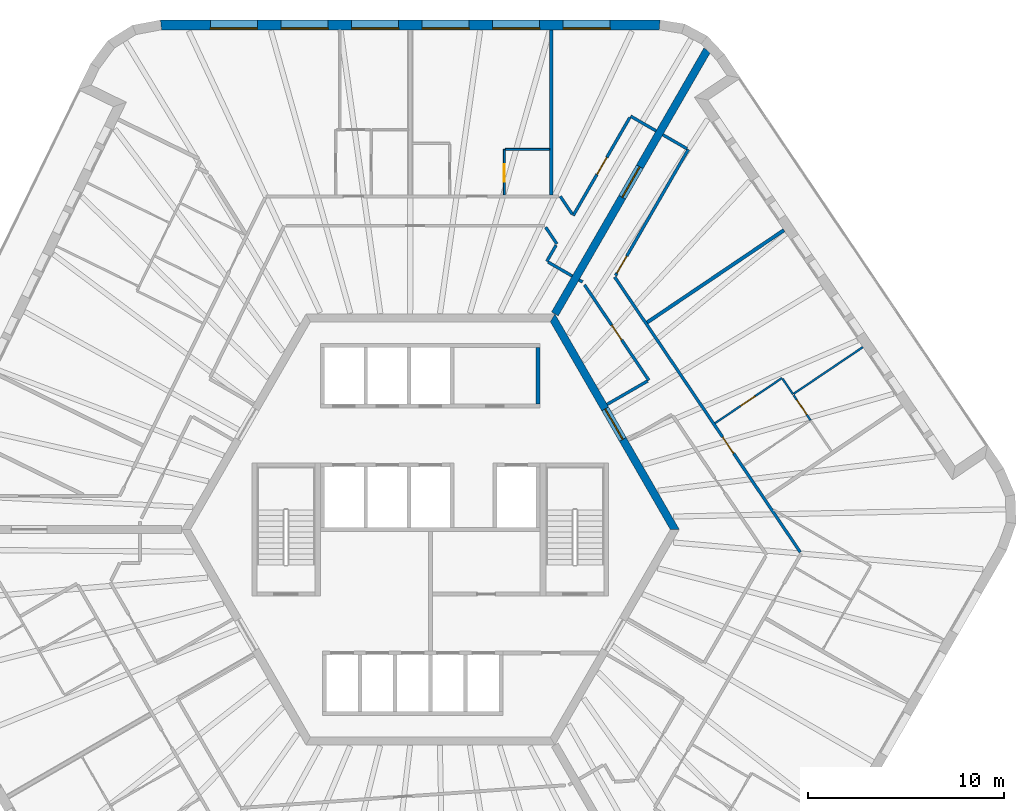
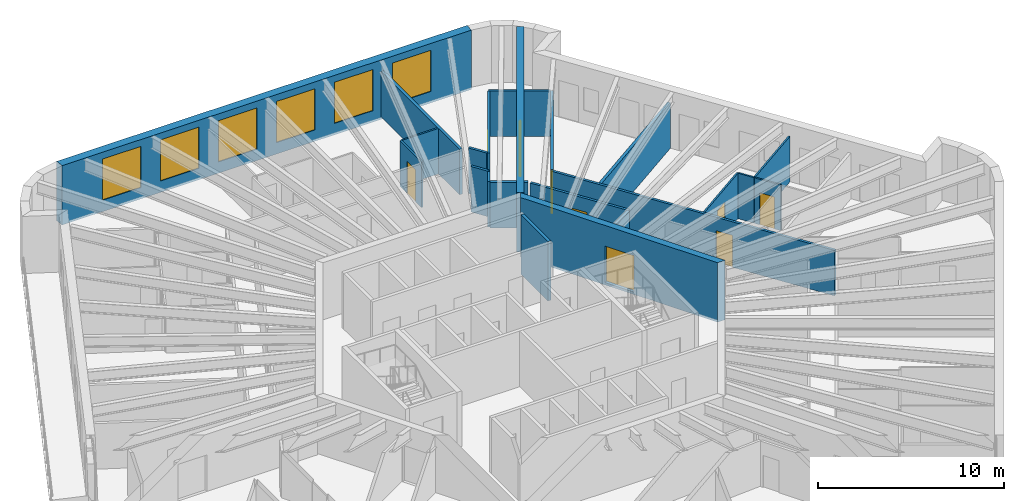
# One storey, part 10 of 12: 24 walls, 9 doors, 6 windows, 15 openings.
"""IFC4 building model written with IfcOpenShell, lengths in metres."""

from ifc_helpers import new_model, si_unit, direction, frame, frame_2d, origin, place, context, subcontext, project, spatial, polyline, rectangle, outline, extrude, material, layer, layer_set, type_object, element, fill, save


model = new_model("IFC4")

# Units and contexts
model_context = context("Model", 3, precision=1e-05, world=origin(), true_north=direction((0.0, 1.0)))
body_context = subcontext(model_context, "Body", "Model", "MODEL_VIEW")
ifc_project = project(units=[si_unit("LENGTHUNIT", "METRE"), si_unit("AREAUNIT", "SQUARE_METRE"), si_unit("VOLUMEUNIT", "CUBIC_METRE"), si_unit("PLANEANGLEUNIT", "RADIAN"), si_unit("MASSUNIT", "GRAM", prefix="KILO")], contexts=[model_context])

# Site, building, storey
site_placement = place(None, origin())
site = spatial("IfcSite", under=ifc_project, at=site_placement, CompositionType="ELEMENT")
building_placement = place(site_placement, origin())
building = spatial("IfcBuilding", under=site, at=building_placement, Name="Tarnside Tower", CompositionType="ELEMENT")
storey_placement = place(building_placement, frame((0.0, 0.0, 295.199951171875)))
storey = spatial("IfcBuildingStorey", under=building, at=storey_placement, Name="L71", CompositionType="ELEMENT", Elevation=295.199951171875)

# Wall, opening, door
ifc_material_1 = material(Name="Concrete C60/75", Category="concrete")
ifc_layer_1 = layer(ifc_material_1, 0.39990234375)
ifc_layer_set_1 = layer_set([ifc_layer_1], Name="Core wall Z3 400 C60/75")
wall_type_1 = type_object("IfcWallType", Name="Core wall Z3 400 C60/75", PredefinedType="SHEAR", material=ifc_layer_set_1)
wall_1_placement = place(storey_placement, frame((12.470703125, 0.0, -0.14990234375), z_axis=(0.0, 0.0, 1.0), x_axis=(-0.499996419489, 0.866027470984, 0.0)))
wall_1 = element("IfcWall", 1, at=wall_1_placement, inside=storey, type_object=wall_type_1, Name="L71 core wall face 6", PredefinedType="SHEAR", context=body_context, shape_type="SweptSolid", body=[
    extrude(outline(polyline([(-0.115478515625, -0.199951171875), (12.586181640625, -0.199951171875), (12.355224609375, 0.199951171875), (0.115478515625, 0.199951171875), (-0.115478515625, -0.199951171875)])), origin(), (0.0, 0.0, 1.0), 3.89990234375),
])
opening_1_placement = place(wall_1_placement, frame((5.306396484375, 0.0, 0.14990234375)))
opening_1 = element("IfcOpeningElement", 2, at=opening_1_placement, cuts=wall_1, Name="Opening CD-LOB", PredefinedType="OPENING", context=body_context, shape_type="SweptSolid", body=[
    extrude(rectangle(XDim=1.800048828125, YDim=2.39990234375, at=frame_2d((0.89990234375, 1.199951171875))), frame((0.0, 0.2099609375, 0.0), z_axis=(0.0, -1.0, 0.0), x_axis=(1.0, 0.0, 0.0)), (0.0, 0.0, 1.0), 0.419921875),
])
ifc_material_2 = material(Name="Steel fire door", Category="steel")
door_type_1 = type_object("IfcDoorType", Name="Lobby double door FD30S 1800x2400", OperationType="NOTDEFINED", PredefinedType="DOOR", material=ifc_material_2)
door_1_placement = place(opening_1_placement, origin())
door_1 = element("IfcDoor", 3, at=door_1_placement, inside=storey, type_object=door_type_1, Name="L71 core door P2", OperationType="DOUBLE_DOOR_SINGLE_SWING", OverallHeight=2.39990234375, OverallWidth=1.800048828125, PredefinedType="DOOR", context=body_context, shape_type="SweptSolid", body=[
    extrude(rectangle(XDim=1.800048828125, YDim=2.39990234375, at=frame_2d((0.89990234375, 1.199951171875))), frame((0.0, 0.02490234375, 0.0), z_axis=(0.0, -1.0, 0.0), x_axis=(1.0, 0.0, 0.0)), (0.0, 0.0, 1.0), 0.050048828125),
])
fill(opening_1, door_1)

wall_2_placement = place(storey_placement, frame((6.350830078125, 11.0, -0.14990234375), z_axis=(0.0, 0.0, 1.0), x_axis=(0.499998894578, 0.866026041999, 0.0)))
wall_2 = element("IfcWall", 4, at=wall_2_placement, inside=storey, type_object=wall_type_1, Name="L71 spine wall 1", PredefinedType="SHEAR", context=body_context, shape_type="SweptSolid", body=[
    extrude(rectangle(XDim=15.54443359375, YDim=0.39990234375, at=frame_2d((7.772216796875, 0.0))), origin(), (0.0, 0.0, 1.0), 3.89990234375),
])
opening_2_placement = place(wall_2_placement, frame((6.872314453125, 0.0, 0.14990234375)))
opening_2 = element("IfcOpeningElement", 5, at=opening_2_placement, cuts=wall_2, Name="Opening CD-SPN", PredefinedType="OPENING", context=body_context, shape_type="SweptSolid", body=[
    extrude(rectangle(XDim=1.800048828125, YDim=2.39990234375, at=frame_2d((0.89990234375, 1.199951171875))), frame((0.0, 0.2099609375, 0.0), z_axis=(0.0, -1.0, 0.0), x_axis=(1.0, 0.0, 0.0)), (0.0, 0.0, 1.0), 0.419921875),
])
door_type_2 = type_object("IfcDoorType", Name="Spine passage double door FD60 1800x2400", OperationType="NOTDEFINED", PredefinedType="DOOR", material=ifc_material_2)
door_2_placement = place(opening_2_placement, origin())
door_2 = element("IfcDoor", 6, at=door_2_placement, inside=storey, type_object=door_type_2, Name="L71 spine passage door 1", OperationType="DOUBLE_DOOR_SINGLE_SWING", OverallHeight=2.39990234375, OverallWidth=1.800048828125, PredefinedType="DOOR", context=body_context, shape_type="SweptSolid", body=[
    extrude(rectangle(XDim=1.800048828125, YDim=2.39990234375, at=frame_2d((0.89990234375, 1.199951171875))), frame((0.0, 0.02490234375, 0.0), z_axis=(0.0, -1.0, 0.0), x_axis=(1.0, 0.0, 0.0)), (0.0, 0.0, 1.0), 0.050048828125),
])
fill(opening_2, door_2)

# Wall
ifc_material_3 = material(Name="Gypsum board partition on steel studs", Category="steel")
ifc_layer_2 = layer(ifc_material_3, 0.14990234375)
ifc_layer_set_2 = layer_set([ifc_layer_2], Name="Corridor wall 150 EI 60")
wall_type_2 = type_object("IfcWallType", Name="Corridor wall 150 EI 60", PredefinedType="PARTITIONING", material=ifc_layer_set_2)
wall_3_placement = place(storey_placement, frame((11.513671875, 20.342529296875, 0.0), z_axis=(0.0, 0.0, 1.0), x_axis=(-0.866031096941, 0.499990139034, 0.0)))
element("IfcWall", 7, at=wall_3_placement, inside=storey, type_object=wall_type_2, Name="Corridor wall 23001", PredefinedType="PARTITIONING", context=body_context, shape_type="SweptSolid", body=[
    extrude(rectangle(XDim=1.5, YDim=0.14990234375, at=frame_2d((0.75, 0.0))), origin(), (0.0, 0.0, 1.0), 2.98779296875),
])

# Wall, opening, door
wall_4_placement = place(storey_placement, frame((10.17724609375, 21.02734375, 0.0), z_axis=(0.0, 0.0, 1.0), x_axis=(-0.500013707032, -0.866017489881, 0.0)))
wall_4 = element("IfcWall", 8, at=wall_4_placement, inside=storey, type_object=wall_type_2, Name="Corridor wall 23002", PredefinedType="PARTITIONING", context=body_context, shape_type="SweptSolid", body=[
    extrude(rectangle(XDim=5.780517578125, YDim=0.14990234375, at=frame_2d((2.89013671875, 0.0))), origin(), (0.0, 0.0, 1.0), 2.98779296875),
])
opening_3_placement = place(wall_4_placement, frame((2.352783203125, 0.0, 0.0)))
opening_3 = element("IfcOpeningElement", 9, at=opening_3_placement, cuts=wall_4, Name="Opening D-E1", PredefinedType="OPENING", context=body_context, shape_type="SweptSolid", body=[
    extrude(rectangle(XDim=1.0, YDim=2.10009765625, at=frame_2d((0.5, 1.050048828125))), frame((0.0, 0.0849609375, 0.0), z_axis=(0.0, -1.0, 0.0), x_axis=(1.0, 0.0, 0.0)), (0.0, 0.0, 1.0), 0.169921875),
])
ifc_material_4 = material(Name="Timber door leaf", Category="wood")
door_type_3 = type_object("IfcDoorType", Name="Unit entrance door 1000 FD30S", OperationType="NOTDEFINED", PredefinedType="DOOR", material=ifc_material_4)
door_3_placement = place(opening_3_placement, origin())
door_3 = element("IfcDoor", 10, at=door_3_placement, inside=storey, type_object=door_type_3, Name="Unit door 23001", OperationType="SINGLE_SWING_RIGHT", OverallHeight=2.10009765625, OverallWidth=1.0, PredefinedType="DOOR", context=body_context, shape_type="SweptSolid", body=[
    extrude(rectangle(XDim=1.0, YDim=2.10009765625, at=frame_2d((0.5, 1.050048828125))), frame((0.0, 0.02490234375, 0.0), z_axis=(0.0, -1.0, 0.0), x_axis=(1.0, 0.0, 0.0)), (0.0, 0.0, 1.0), 0.050048828125),
])
fill(opening_3, door_3)

# Walls
wall_5_placement = place(storey_placement, frame((7.240234375, 16.09033203125, 0.0), z_axis=(0.0, 0.0, 1.0), x_axis=(-0.559159452146, 0.829060134777, 0.0)))
element("IfcWall", 11, at=wall_5_placement, inside=storey, type_object=wall_type_2, Name="Corridor wall 23003", PredefinedType="PARTITIONING", context=body_context, shape_type="SweptSolid", body=[
    extrude(rectangle(XDim=1.09716796875, YDim=0.14990234375, at=frame_2d((0.548583984375, 0.0))), origin(), (0.0, 0.0, 1.0), 2.98779296875),
])
wall_6_placement = place(storey_placement, frame((5.879638671875, 15.425048828125, 0.0), z_axis=(0.0, 0.0, 1.0), x_axis=(0.559202631314, -0.829031010959, 0.0)))
element("IfcWall", 12, at=wall_6_placement, inside=storey, type_object=wall_type_2, Name="Corridor wall 23022", PredefinedType="PARTITIONING", context=body_context, shape_type="SweptSolid", body=[
    extrude(rectangle(XDim=1.024169921875, YDim=0.14990234375, at=frame_2d((0.51220703125, 0.0))), origin(), (0.0, 0.0, 1.0), 2.98779296875),
])
wall_7_placement = place(storey_placement, frame((6.41064453125, 14.503662109375, 0.0), z_axis=(0.0, 0.0, 1.0), x_axis=(-0.499998034377, -0.866026538634, 0.0)))
element("IfcWall", 13, at=wall_7_placement, inside=storey, type_object=wall_type_2, Name="Corridor wall 23023", PredefinedType="PARTITIONING", context=body_context, shape_type="SweptSolid", body=[
    extrude(rectangle(XDim=0.94580078125, YDim=0.14990234375, at=frame_2d((0.472900390625, 0.0))), origin(), (0.0, 0.0, 1.0), 2.98779296875),
])
wall_8_placement = place(storey_placement, frame((6.002685546875, 13.647216796875, 0.0), z_axis=(0.0, 0.0, 1.0), x_axis=(0.865988727248, -0.500063520245, 0.0)))
element("IfcWall", 14, at=wall_8_placement, inside=storey, type_object=wall_type_2, Name="Corridor wall 23024", PredefinedType="PARTITIONING", context=body_context, shape_type="SweptSolid", body=[
    extrude(rectangle(XDim=1.425048828125, YDim=0.14990234375, at=frame_2d((0.71240234375, 0.0))), origin(), (0.0, 0.0, 1.0), 2.98779296875),
])

# Wall, opening, door
wall_9_placement = place(storey_placement, frame((18.87451171875, -1.158203125, 0.0), z_axis=(0.0, 0.0, 1.0), x_axis=(-0.55919880344, 0.829033592945, 0.0)))
wall_9 = element("IfcWall", 15, at=wall_9_placement, inside=storey, type_object=wall_type_2, Name="Corridor wall 23059", PredefinedType="PARTITIONING", context=body_context, shape_type="SweptSolid", body=[
    extrude(rectangle(XDim=16.939208984375, YDim=0.14990234375, at=frame_2d((8.4697265625, 0.0))), origin(), (0.0, 0.0, 1.0), 2.98779296875),
])
opening_4_placement = place(wall_9_placement, frame((6.090087890625, 0.0, 0.0)))
opening_4 = element("IfcOpeningElement", 16, at=opening_4_placement, cuts=wall_9, Name="Opening D-E1", PredefinedType="OPENING", context=body_context, shape_type="SweptSolid", body=[
    extrude(rectangle(XDim=1.0, YDim=2.10009765625, at=frame_2d((0.5, 1.050048828125))), frame((0.0, 0.0849609375, 0.0), z_axis=(0.0, -1.0, 0.0), x_axis=(1.0, 0.0, 0.0)), (0.0, 0.0, 1.0), 0.169921875),
])
door_4_placement = place(opening_4_placement, origin())
door_4 = element("IfcDoor", 17, at=door_4_placement, inside=storey, type_object=door_type_3, Name="Unit door 23051", OperationType="SINGLE_SWING_LEFT", OverallHeight=2.10009765625, OverallWidth=1.0, PredefinedType="DOOR", context=body_context, shape_type="SweptSolid", body=[
    extrude(rectangle(XDim=1.0, YDim=2.10009765625, at=frame_2d((0.5, 1.050048828125))), frame((0.0, 0.02490234375, 0.0), z_axis=(0.0, -1.0, 0.0), x_axis=(1.0, 0.0, 0.0)), (0.0, 0.0, 1.0), 0.050048828125),
])
fill(opening_4, door_4)

wall_10_placement = place(storey_placement, frame((9.44384765625, 12.957275390625, 0.0), z_axis=(0.0, 0.0, 1.0), x_axis=(0.500004967958, 0.866022535513, 0.0)))
wall_10 = element("IfcWall", 18, at=wall_10_placement, inside=storey, type_object=wall_type_2, Name="Corridor wall 23067", PredefinedType="PARTITIONING", context=body_context, shape_type="SweptSolid", body=[
    extrude(rectangle(XDim=7.4306640625, YDim=0.14990234375, at=frame_2d((3.71533203125, 0.0))), origin(), (0.0, 0.0, 1.0), 2.98779296875),
])
opening_5_placement = place(wall_10_placement, frame((0.14990234375, 0.0, 0.0)))
opening_5 = element("IfcOpeningElement", 19, at=opening_5_placement, cuts=wall_10, Name="Opening D-E1", PredefinedType="OPENING", context=body_context, shape_type="SweptSolid", body=[
    extrude(rectangle(XDim=1.0, YDim=2.10009765625, at=frame_2d((0.5, 1.050048828125))), frame((0.0, 0.0849609375, 0.0), z_axis=(0.0, -1.0, 0.0), x_axis=(1.0, 0.0, 0.0)), (0.0, 0.0, 1.0), 0.169921875),
])
door_5_placement = place(opening_5_placement, origin())
door_5 = element("IfcDoor", 20, at=door_5_placement, inside=storey, type_object=door_type_3, Name="Unit door 23055", OperationType="SINGLE_SWING_RIGHT", OverallHeight=2.10009765625, OverallWidth=1.0, PredefinedType="DOOR", context=body_context, shape_type="SweptSolid", body=[
    extrude(rectangle(XDim=1.0, YDim=2.10009765625, at=frame_2d((0.5, 1.050048828125))), frame((0.0, 0.02490234375, 0.0), z_axis=(0.0, -1.0, 0.0), x_axis=(1.0, 0.0, 0.0)), (0.0, 0.0, 1.0), 0.050048828125),
])
fill(opening_5, door_5)

# Walls
wall_11_placement = place(storey_placement, frame((13.09423828125, 19.429931640625, 0.0), z_axis=(0.0, 0.0, 1.0), x_axis=(-0.866062911188, 0.499935029643, 0.0)))
element("IfcWall", 21, at=wall_11_placement, inside=storey, type_object=wall_type_2, Name="Corridor wall 23068", PredefinedType="PARTITIONING", context=body_context, shape_type="SweptSolid", body=[
    extrude(rectangle(XDim=1.425048828125, YDim=0.14990234375, at=frame_2d((0.71240234375, 0.0))), origin(), (0.0, 0.0, 1.0), 2.98779296875),
])
wall_12_placement = place(storey_placement, frame((7.583251953125, 12.734619140625, 0.0), z_axis=(0.0, 0.0, 1.0), x_axis=(0.866088799389, -0.499890179513, 0.0)))
element("IfcWall", 22, at=wall_12_placement, inside=storey, type_object=wall_type_2, Name="Corridor wall 23078", PredefinedType="PARTITIONING", context=body_context, shape_type="SweptSolid", body=[
    extrude(rectangle(XDim=0.2099609375, YDim=0.14990234375, at=frame_2d((0.10498046875, 0.0))), origin(), (0.0, 0.0, 1.0), 2.98779296875),
])

# Wall, opening, door
wall_13_placement = place(storey_placement, frame((7.86083984375, 12.48779296875, 0.0), z_axis=(0.0, 0.0, 1.0), x_axis=(0.559178186788, -0.829047498893, 0.0)))
wall_13 = element("IfcWall", 23, at=wall_13_placement, inside=storey, type_object=wall_type_2, Name="Corridor wall 23079", PredefinedType="PARTITIONING", context=body_context, shape_type="SweptSolid", body=[
    extrude(rectangle(XDim=5.877685546875, YDim=0.14990234375, at=frame_2d((2.93896484375, 0.0))), origin(), (0.0, 0.0, 1.0), 2.98779296875),
])
opening_6_placement = place(wall_13_placement, frame((2.48876953125, 0.0, 0.0)))
opening_6 = element("IfcOpeningElement", 24, at=opening_6_placement, cuts=wall_13, Name="Opening D-S1", PredefinedType="OPENING", context=body_context, shape_type="SweptSolid", body=[
    extrude(rectangle(XDim=0.89990234375, YDim=2.10009765625, at=frame_2d((0.449951171875, 1.050048828125))), frame((0.0, 0.0849609375, 0.0), z_axis=(0.0, -1.0, 0.0), x_axis=(1.0, 0.0, 0.0)), (0.0, 0.0, 1.0), 0.169921875),
])
door_type_4 = type_object("IfcDoorType", Name="Service room door 900 FD30S", OperationType="NOTDEFINED", PredefinedType="DOOR", material=ifc_material_4)
door_6_placement = place(opening_6_placement, origin())
door_6 = element("IfcDoor", 25, at=door_6_placement, inside=storey, type_object=door_type_4, Name="Service door 23064", OperationType="SINGLE_SWING_RIGHT", OverallHeight=2.10009765625, OverallWidth=0.89990234375, PredefinedType="DOOR", context=body_context, shape_type="SweptSolid", body=[
    extrude(rectangle(XDim=0.89990234375, YDim=2.10009765625, at=frame_2d((0.449951171875, 1.050048828125))), frame((0.0, 0.02490234375, 0.0), z_axis=(0.0, -1.0, 0.0), x_axis=(1.0, 0.0, 0.0)), (0.0, 0.0, 1.0), 0.050048828125),
])
fill(opening_6, door_6)

# Walls
wall_14_placement = place(storey_placement, frame((11.082275390625, 7.57763671875, 0.0), z_axis=(0.0, 0.0, 1.0), x_axis=(-0.865993065409, -0.500056007527, 0.0)))
element("IfcWall", 26, at=wall_14_placement, inside=storey, type_object=wall_type_2, Name="Corridor wall 23080", PredefinedType="PARTITIONING", context=body_context, shape_type="SweptSolid", body=[
    extrude(rectangle(XDim=2.386474609375, YDim=0.14990234375, at=frame_2d((1.193359375, 0.0))), origin(), (0.0, 0.0, 1.0), 2.98779296875),
])
ifc_layer_3 = layer(ifc_material_3, 0.179931640625)
ifc_layer_set_3 = layer_set([ifc_layer_3], Name="Demising wall 180 EI 60")
wall_type_3 = type_object("IfcWallType", Name="Demising wall 180 EI 60", PredefinedType="PARTITIONING", material=ifc_layer_set_3)
for number, where, z_axis, x_axis, name in (
    (27, (6.17529296875, 25.5, 0.0), (0.0, 0.0, 1.0), (0.0, -1.0, 0.0), "Demising wall 23081"),
    (28, (18.042236328125, 15.276123046875, 0.0), (0.0, 0.0, 1.0), (-0.829037762759, -0.559192621481, 0.0), "Demising wall 23160"),
):
    element("IfcWall", number, at=place(storey_placement, frame(where, z_axis=z_axis, x_axis=x_axis)), inside=storey, type_object=wall_type_3, Name=name, PredefinedType="PARTITIONING", context=body_context, shape_type="SweptSolid", body=[
        extrude(rectangle(XDim=8.425048828125, YDim=0.179931640625, at=frame_2d((4.21240234375, 0.0))), origin(), (0.0, 0.0, 1.0), 2.98779296875),
    ])
ifc_material_5 = material(Name="Concrete C40/50", Category="concrete")
ifc_layer_4 = layer(ifc_material_5, 0.199951171875)
ifc_layer_set_4 = layer_set([ifc_layer_4], Name="Lift shaft wall 200 C40/50")
wall_type_4 = type_object("IfcWallType", Name="Lift shaft wall 200 C40/50", PredefinedType="SHEAR", material=ifc_layer_set_4)
wall_15_placement = place(storey_placement, frame((5.5, 6.39990234375, -0.25), z_axis=(0.0, 0.0, 1.0), x_axis=(0.0, 1.0, 0.0)))
element("IfcWall", 29, at=wall_15_placement, inside=storey, type_object=wall_type_4, Name="L71 lift shaft partition R16", PredefinedType="SHEAR", context=body_context, shape_type="SweptSolid", body=[
    extrude(rectangle(XDim=2.900146484375, YDim=0.199951171875, at=frame_2d((1.4501953125, 0.0))), origin(), (0.0, 0.0, 1.0), 3.900146484375),
])

# Wall, opening, door
ifc_layer_5 = layer(ifc_material_3, 0.10009765625)
ifc_layer_set_5 = layer_set([ifc_layer_5], Name="Partition 100")
wall_type_5 = type_object("IfcWallType", Name="Partition 100", PredefinedType="PARTITIONING", material=ifc_layer_set_5)
wall_16_placement = place(storey_placement, frame((3.775146484375, 17.074951171875, 0.0), z_axis=(0.0, 0.0, 1.0), x_axis=(0.0, 1.0, 0.0)))
wall_16 = element("IfcWall", 30, at=wall_16_placement, inside=storey, type_object=wall_type_5, Name="Partition wall 23085", PredefinedType="PARTITIONING", context=body_context, shape_type="SweptSolid", body=[
    extrude(rectangle(XDim=2.324951171875, YDim=0.10009765625, at=frame_2d((1.16259765625, 0.0))), origin(), (0.0, 0.0, 1.0), 2.98779296875),
])
opening_7_placement = place(wall_16_placement, frame((0.675048828125, 0.0, 0.0)))
opening_7 = element("IfcOpeningElement", 31, at=opening_7_placement, cuts=wall_16, Name="Opening D-I1", PredefinedType="OPENING", context=body_context, shape_type="SweptSolid", body=[
    extrude(rectangle(XDim=0.89990234375, YDim=2.10009765625, at=frame_2d((0.449951171875, 1.050048828125))), frame((0.0, 0.06005859375, 0.0), z_axis=(0.0, -1.0, 0.0), x_axis=(1.0, 0.0, 0.0)), (0.0, 0.0, 1.0), 0.1201171875),
])
door_type_5 = type_object("IfcDoorType", Name="Internal door 900", OperationType="NOTDEFINED", PredefinedType="DOOR", material=ifc_material_4)
door_7_placement = place(opening_7_placement, origin())
door_7 = element("IfcDoor", 32, at=door_7_placement, inside=storey, type_object=door_type_5, Name="Internal door 23004", OperationType="SINGLE_SWING_RIGHT", OverallHeight=2.10009765625, OverallWidth=0.89990234375, PredefinedType="DOOR", context=body_context, shape_type="SweptSolid", body=[
    extrude(rectangle(XDim=0.89990234375, YDim=2.10009765625, at=frame_2d((0.449951171875, 1.050048828125))), frame((0.0, 0.02490234375, 0.0), z_axis=(0.0, -1.0, 0.0), x_axis=(1.0, 0.0, 0.0)), (0.0, 0.0, 1.0), 0.050048828125),
])
fill(opening_7, door_7)

# Wall
wall_17_placement = place(storey_placement, frame((3.8251953125, 19.39990234375, 0.0), z_axis=(0.0, 0.0, 1.0), x_axis=(1.0, 0.0, 0.0)))
element("IfcWall", 33, at=wall_17_placement, inside=storey, type_object=wall_type_5, Name="Partition wall 23086", PredefinedType="PARTITIONING", context=body_context, shape_type="SweptSolid", body=[
    extrude(rectangle(XDim=2.260009765625, YDim=0.10009765625, at=frame_2d((1.1298828125, 0.0))), origin(), (0.0, 0.0, 1.0), 2.98779296875),
])

# Wall, opening, door
wall_18_placement = place(storey_placement, frame((14.524658203125, 5.4248046875, 0.0), z_axis=(0.0, 0.0, 1.0), x_axis=(0.829033204172, 0.559199379811, 0.0)))
wall_18 = element("IfcWall", 34, at=wall_18_placement, inside=storey, type_object=wall_type_5, Name="Partition wall 23157", PredefinedType="PARTITIONING", context=body_context, shape_type="SweptSolid", body=[
    extrude(rectangle(XDim=4.125, YDim=0.10009765625, at=frame_2d((2.0625, 0.0))), origin(), (0.0, 0.0, 1.0), 2.98779296875),
])
opening_8_placement = place(wall_18_placement, frame((1.574951171875, 0.0, 0.0)))
opening_8 = element("IfcOpeningElement", 35, at=opening_8_placement, cuts=wall_18, Name="Opening D-I1", PredefinedType="OPENING", context=body_context, shape_type="SweptSolid", body=[
    extrude(rectangle(XDim=0.89990234375, YDim=2.10009765625, at=frame_2d((0.449951171875, 1.050048828125))), frame((0.0, 0.06005859375, 0.0), z_axis=(0.0, -1.0, 0.0), x_axis=(1.0, 0.0, 0.0)), (0.0, 0.0, 1.0), 0.1201171875),
])
door_8_placement = place(opening_8_placement, origin())
door_8 = element("IfcDoor", 36, at=door_8_placement, inside=storey, type_object=door_type_5, Name="Internal door 23053", OperationType="SINGLE_SWING_RIGHT", OverallHeight=2.10009765625, OverallWidth=0.89990234375, PredefinedType="DOOR", context=body_context, shape_type="SweptSolid", body=[
    extrude(rectangle(XDim=0.89990234375, YDim=2.10009765625, at=frame_2d((0.449951171875, 1.050048828125))), frame((0.0, 0.02490234375, 0.0), z_axis=(0.0, -1.0, 0.0), x_axis=(1.0, 0.0, 0.0)), (0.0, 0.0, 1.0), 0.050048828125),
])
fill(opening_8, door_8)

# Walls
wall_19_placement = place(storey_placement, frame((17.972412109375, 7.68994140625, 0.0), z_axis=(0.0, 0.0, 1.0), x_axis=(0.55919087136, -0.829038943227, 0.0)))
element("IfcWall", 37, at=wall_19_placement, inside=storey, type_object=wall_type_5, Name="Partition wall 23158", PredefinedType="PARTITIONING", context=body_context, shape_type="SweptSolid", body=[
    extrude(rectangle(XDim=0.95166015625, YDim=0.10009765625, at=frame_2d((0.475830078125, 0.0))), origin(), (0.0, 0.0, 1.0), 2.98779296875),
])
wall_20_placement = place(storey_placement, frame((18.545166015625, 6.930419921875, 0.0), z_axis=(0.0, 0.0, 1.0), x_axis=(0.829051072067, 0.5591728891, 0.0)))
element("IfcWall", 38, at=wall_20_placement, inside=storey, type_object=wall_type_5, Name="Partition wall 23159", PredefinedType="PARTITIONING", context=body_context, shape_type="SweptSolid", body=[
    extrude(rectangle(XDim=4.25, YDim=0.10009765625, at=frame_2d((2.125, 0.0))), origin(), (0.0, 0.0, 1.0), 2.98779296875),
])

# Wall, opening, door
wall_21_placement = place(storey_placement, frame((19.3994140625, 5.57421875, 0.0), z_axis=(0.0, 0.0, 1.0), x_axis=(-0.559156753744, 0.829061954707, 0.0)))
wall_21 = element("IfcWall", 39, at=wall_21_placement, inside=storey, type_object=wall_type_5, Name="Partition wall 23162", PredefinedType="PARTITIONING", context=body_context, shape_type="SweptSolid", body=[
    extrude(rectangle(XDim=1.55224609375, YDim=0.10009765625, at=frame_2d((0.776123046875, 0.0))), origin(), (0.0, 0.0, 1.0), 2.98779296875),
])
opening_9_placement = place(wall_21_placement, frame((0.35205078125, 0.0, 0.0)))
opening_9 = element("IfcOpeningElement", 40, at=opening_9_placement, cuts=wall_21, Name="Opening D-I1", PredefinedType="OPENING", context=body_context, shape_type="SweptSolid", body=[
    extrude(rectangle(XDim=0.89990234375, YDim=2.10009765625, at=frame_2d((0.449951171875, 1.050048828125))), frame((0.0, 0.06005859375, 0.0), z_axis=(0.0, -1.0, 0.0), x_axis=(1.0, 0.0, 0.0)), (0.0, 0.0, 1.0), 0.1201171875),
])
door_9_placement = place(opening_9_placement, origin())
door_9 = element("IfcDoor", 41, at=door_9_placement, inside=storey, type_object=door_type_5, Name="Internal door 23054", OperationType="SINGLE_SWING_LEFT", OverallHeight=2.10009765625, OverallWidth=0.89990234375, PredefinedType="DOOR", context=body_context, shape_type="SweptSolid", body=[
    extrude(rectangle(XDim=0.89990234375, YDim=2.10009765625, at=frame_2d((0.449951171875, 1.050048828125))), frame((0.0, 0.02490234375, 0.0), z_axis=(0.0, -1.0, 0.0), x_axis=(1.0, 0.0, 0.0)), (0.0, 0.0, 1.0), 0.050048828125),
])
fill(opening_9, door_9)

# Wall, openings, windows
ifc_material_6 = material(Name="Facing brick", Category="masonry")
ifc_layer_6 = layer(ifc_material_6, 0.10205078125)
ifc_material_7 = material(Name="Concrete C60/75 precast", Category="concrete")
ifc_layer_7 = layer(ifc_material_7, 0.298095703125)
ifc_material_8 = material(Name="Mineral wool insulation")
ifc_layer_8 = layer(ifc_material_8, 0.10009765625)
ifc_layer_set_6 = layer_set([ifc_layer_6, ifc_layer_7, ifc_layer_8], Name="Tube wall 500 brick faced")
wall_type_6 = type_object("IfcWallType", Name="Tube wall 500 brick faced", PredefinedType="SOLIDWALL", material=ifc_layer_set_6)
wall_22_placement = place(storey_placement, frame((11.697509765625, 25.75, -0.14990234375), z_axis=(0.0, 0.0, 1.0), x_axis=(-1.0, 0.0, 0.0)))
wall_22 = element("IfcWall", 42, at=wall_22_placement, inside=storey, type_object=wall_type_6, Name="Tube wall L71 F1 flush 00", PredefinedType="SOLIDWALL", context=body_context, shape_type="SweptSolid", body=[
    extrude(outline(polyline([(-0.0205078125, -0.25), (25.468017578125, -0.25), (25.421142578125, 0.25), (0.0205078125, 0.25), (-0.0205078125, -0.25)])), origin(), (0.0, 0.0, 1.0), 3.89990234375),
])
opening_10_placement = place(wall_22_placement, frame((2.5224609375, 0.0, 0.75)))
opening_10 = element("IfcOpeningElement", 43, at=opening_10_placement, cuts=wall_22, Name="Opening WR", PredefinedType="OPENING", context=body_context, shape_type="SweptSolid", body=[
    extrude(rectangle(XDim=2.39990234375, YDim=2.699951171875, at=frame_2d((1.199951171875, 1.35009765625))), frame((0.0, 0.260009765625, 0.0), z_axis=(0.0, -1.0, 0.0), x_axis=(1.0, 0.0, 0.0)), (0.0, 0.0, 1.0), 0.52001953125),
])
opening_11_placement = place(wall_22_placement, frame((6.122314453125, 0.0, 0.75)))
opening_11 = element("IfcOpeningElement", 44, at=opening_11_placement, cuts=wall_22, Name="Opening WR", PredefinedType="OPENING", context=body_context, shape_type="SweptSolid", body=[
    extrude(rectangle(XDim=2.39990234375, YDim=2.699951171875, at=frame_2d((1.199951171875, 1.35009765625))), frame((0.0, 0.260009765625, 0.0), z_axis=(0.0, -1.0, 0.0), x_axis=(1.0, 0.0, 0.0)), (0.0, 0.0, 1.0), 0.52001953125),
])
opening_12_placement = place(wall_22_placement, frame((9.722412109375, 0.0, 0.75)))
opening_12 = element("IfcOpeningElement", 45, at=opening_12_placement, cuts=wall_22, Name="Opening WR", PredefinedType="OPENING", context=body_context, shape_type="SweptSolid", body=[
    extrude(rectangle(XDim=2.39990234375, YDim=2.699951171875, at=frame_2d((1.199951171875, 1.35009765625))), frame((0.0, 0.260009765625, 0.0), z_axis=(0.0, -1.0, 0.0), x_axis=(1.0, 0.0, 0.0)), (0.0, 0.0, 1.0), 0.52001953125),
])
opening_13_placement = place(wall_22_placement, frame((13.322509765625, 0.0, 0.75)))
opening_13 = element("IfcOpeningElement", 46, at=opening_13_placement, cuts=wall_22, Name="Opening WR", PredefinedType="OPENING", context=body_context, shape_type="SweptSolid", body=[
    extrude(rectangle(XDim=2.39990234375, YDim=2.699951171875, at=frame_2d((1.199951171875, 1.35009765625))), frame((0.0, 0.260009765625, 0.0), z_axis=(0.0, -1.0, 0.0), x_axis=(1.0, 0.0, 0.0)), (0.0, 0.0, 1.0), 0.52001953125),
])
opening_14_placement = place(wall_22_placement, frame((16.92236328125, 0.0, 0.75)))
opening_14 = element("IfcOpeningElement", 47, at=opening_14_placement, cuts=wall_22, Name="Opening WR", PredefinedType="OPENING", context=body_context, shape_type="SweptSolid", body=[
    extrude(rectangle(XDim=2.39990234375, YDim=2.699951171875, at=frame_2d((1.199951171875, 1.35009765625))), frame((0.0, 0.260009765625, 0.0), z_axis=(0.0, -1.0, 0.0), x_axis=(1.0, 0.0, 0.0)), (0.0, 0.0, 1.0), 0.52001953125),
])
opening_15_placement = place(wall_22_placement, frame((20.5224609375, 0.0, 0.75)))
opening_15 = element("IfcOpeningElement", 48, at=opening_15_placement, cuts=wall_22, Name="Opening WR", PredefinedType="OPENING", context=body_context, shape_type="SweptSolid", body=[
    extrude(rectangle(XDim=2.39990234375, YDim=2.699951171875, at=frame_2d((1.199951171875, 1.35009765625))), frame((0.0, 0.260009765625, 0.0), z_axis=(0.0, -1.0, 0.0), x_axis=(1.0, 0.0, 0.0)), (0.0, 0.0, 1.0), 0.52001953125),
])
ifc_material_9 = material(Name="Aluminium-framed double glazing", Category="aluminium")
window_type = type_object("IfcWindowType", Name="Residence window 2400 x 2700", PartitioningType="DOUBLE_PANEL_VERTICAL", PredefinedType="WINDOW", material=ifc_material_9)
window_1_placement = place(opening_10_placement, frame((0.0, 0.179931640625, 0.0)))
window_1 = element("IfcWindow", 49, at=window_1_placement, inside=storey, type_object=window_type, Name="E.WN.L71.F1.00", OverallHeight=2.699951171875, OverallWidth=2.39990234375, PartitioningType="DOUBLE_PANEL_VERTICAL", PredefinedType="WINDOW", context=body_context, shape_type="SweptSolid", body=[
    extrude(rectangle(XDim=2.39990234375, YDim=2.699951171875, at=frame_2d((1.199951171875, 1.35009765625))), frame((0.0, 0.030029296875, 0.0), z_axis=(0.0, -1.0, 0.0), x_axis=(1.0, 0.0, 0.0)), (0.0, 0.0, 1.0), 0.06005859375),
])
fill(opening_10, window_1)
window_2_placement = place(opening_11_placement, frame((0.0, 0.179931640625, 0.0)))
window_2 = element("IfcWindow", 50, at=window_2_placement, inside=storey, type_object=window_type, Name="E.WN.L71.F1.01", OverallHeight=2.699951171875, OverallWidth=2.39990234375, PartitioningType="DOUBLE_PANEL_VERTICAL", PredefinedType="WINDOW", context=body_context, shape_type="SweptSolid", body=[
    extrude(rectangle(XDim=2.39990234375, YDim=2.699951171875, at=frame_2d((1.199951171875, 1.35009765625))), frame((0.0, 0.030029296875, 0.0), z_axis=(0.0, -1.0, 0.0), x_axis=(1.0, 0.0, 0.0)), (0.0, 0.0, 1.0), 0.06005859375),
])
fill(opening_11, window_2)
window_3_placement = place(opening_12_placement, frame((0.0, 0.179931640625, 0.0)))
window_3 = element("IfcWindow", 51, at=window_3_placement, inside=storey, type_object=window_type, Name="E.WN.L71.F1.02", OverallHeight=2.699951171875, OverallWidth=2.39990234375, PartitioningType="DOUBLE_PANEL_VERTICAL", PredefinedType="WINDOW", context=body_context, shape_type="SweptSolid", body=[
    extrude(rectangle(XDim=2.39990234375, YDim=2.699951171875, at=frame_2d((1.199951171875, 1.35009765625))), frame((0.0, 0.030029296875, 0.0), z_axis=(0.0, -1.0, 0.0), x_axis=(1.0, 0.0, 0.0)), (0.0, 0.0, 1.0), 0.06005859375),
])
fill(opening_12, window_3)
window_4_placement = place(opening_13_placement, frame((0.0, 0.179931640625, 0.0)))
window_4 = element("IfcWindow", 52, at=window_4_placement, inside=storey, type_object=window_type, Name="E.WN.L71.F1.03", OverallHeight=2.699951171875, OverallWidth=2.39990234375, PartitioningType="DOUBLE_PANEL_VERTICAL", PredefinedType="WINDOW", context=body_context, shape_type="SweptSolid", body=[
    extrude(rectangle(XDim=2.39990234375, YDim=2.699951171875, at=frame_2d((1.199951171875, 1.35009765625))), frame((0.0, 0.030029296875, 0.0), z_axis=(0.0, -1.0, 0.0), x_axis=(1.0, 0.0, 0.0)), (0.0, 0.0, 1.0), 0.06005859375),
])
fill(opening_13, window_4)
window_5_placement = place(opening_14_placement, frame((0.0, 0.179931640625, 0.0)))
window_5 = element("IfcWindow", 53, at=window_5_placement, inside=storey, type_object=window_type, Name="E.WN.L71.F1.04", OverallHeight=2.699951171875, OverallWidth=2.39990234375, PartitioningType="DOUBLE_PANEL_VERTICAL", PredefinedType="WINDOW", context=body_context, shape_type="SweptSolid", body=[
    extrude(rectangle(XDim=2.39990234375, YDim=2.699951171875, at=frame_2d((1.199951171875, 1.35009765625))), frame((0.0, 0.030029296875, 0.0), z_axis=(0.0, -1.0, 0.0), x_axis=(1.0, 0.0, 0.0)), (0.0, 0.0, 1.0), 0.06005859375),
])
fill(opening_14, window_5)
window_6_placement = place(opening_15_placement, frame((0.0, 0.179931640625, 0.0)))
window_6 = element("IfcWindow", 54, at=window_6_placement, inside=storey, type_object=window_type, Name="E.WN.L71.F1.05", OverallHeight=2.699951171875, OverallWidth=2.39990234375, PartitioningType="DOUBLE_PANEL_VERTICAL", PredefinedType="WINDOW", context=body_context, shape_type="SweptSolid", body=[
    extrude(rectangle(XDim=2.39990234375, YDim=2.699951171875, at=frame_2d((1.199951171875, 1.35009765625))), frame((0.0, 0.030029296875, 0.0), z_axis=(0.0, -1.0, 0.0), x_axis=(1.0, 0.0, 0.0)), (0.0, 0.0, 1.0), 0.06005859375),
])
fill(opening_15, window_6)

save(model, "model.ifc")
